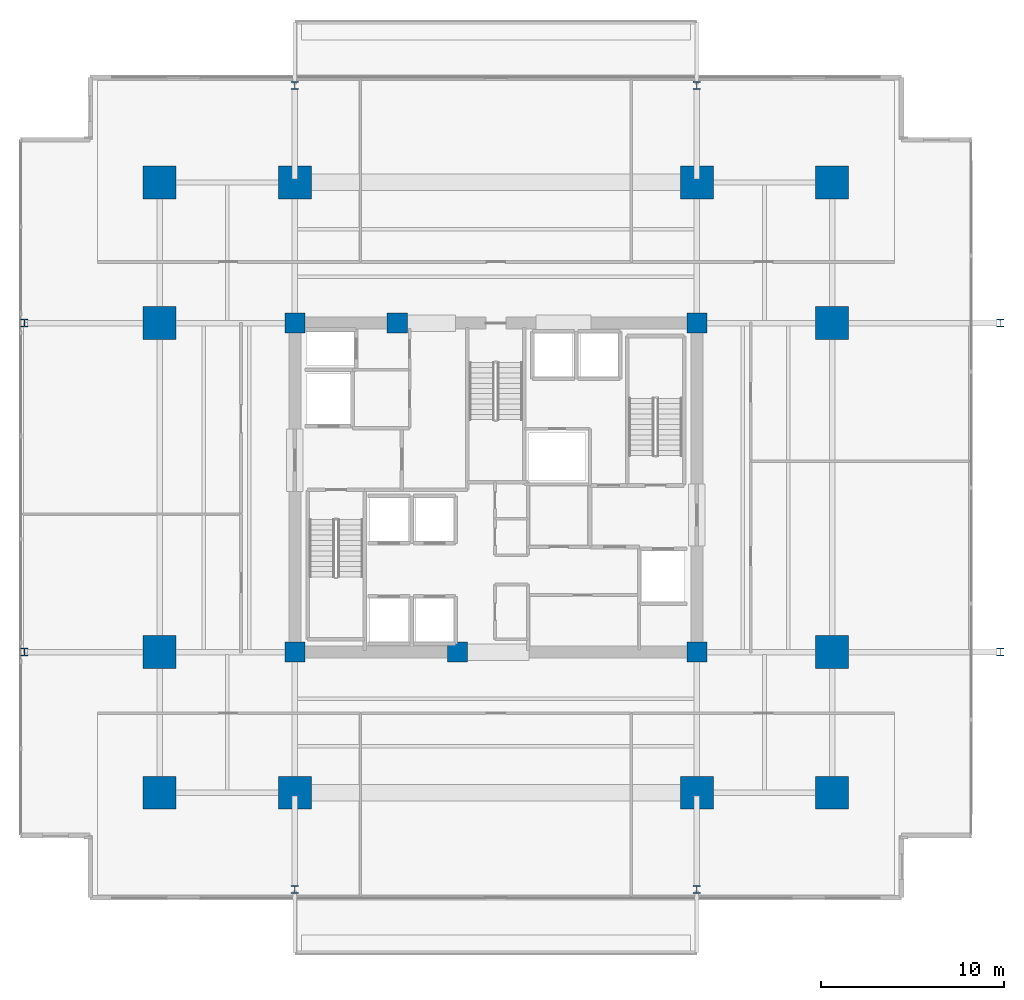
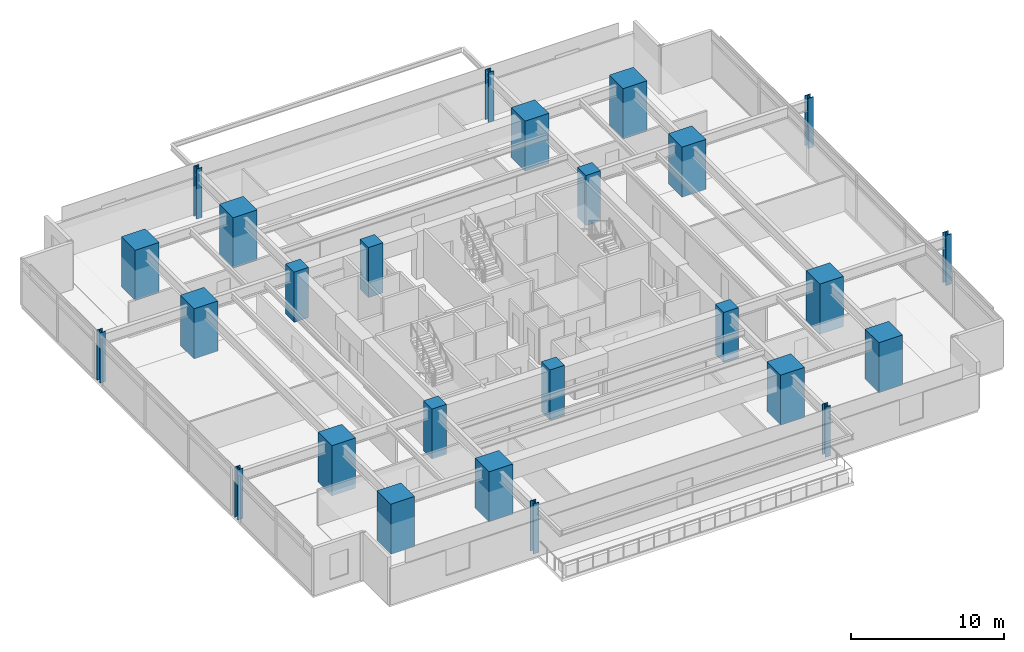
# One storey, part 1 of 25: 26 columns.
"""IFC4 building model written with IfcOpenShell, lengths in metres."""

from ifc_helpers import new_model, si_unit, direction, frame, origin, origin_2d, place, context, subcontext, project, spatial, rectangle, i_section, extrude, material, material_profile, profile_set, type_object, element, save


model = new_model("IFC4")

# Units and contexts
model_context = context("Model", 3, precision=1e-05, world=origin(), true_north=direction((0.0, 1.0)))
body_context = subcontext(model_context, "Body", "Model", "MODEL_VIEW")
ifc_project = project(units=[si_unit("LENGTHUNIT", "METRE"), si_unit("AREAUNIT", "SQUARE_METRE"), si_unit("VOLUMEUNIT", "CUBIC_METRE"), si_unit("PLANEANGLEUNIT", "RADIAN"), si_unit("MASSUNIT", "GRAM", prefix="KILO")], contexts=[model_context])

# Site, building, storey
site_placement = place(None, origin())
site = spatial("IfcSite", under=ifc_project, at=site_placement, CompositionType="ELEMENT")
building_placement = place(site_placement, origin())
building = spatial("IfcBuilding", under=site, at=building_placement, Name="Kovane Verandah Tower", CompositionType="ELEMENT")
storey_placement = place(building_placement, frame((0.0, 0.0, 67.60009765625)))
storey = spatial("IfcBuildingStorey", under=building, at=storey_placement, Name="L15", CompositionType="ELEMENT", Elevation=67.60009765625)

# Columns
ifc_material_1 = material(Name="Concrete C80/95", Category="concrete")
ifc_material_profile_1 = material_profile(ifc_material_1, rectangle(XDim=1.800048828125, YDim=1.800048828125, at=origin_2d()), Name="RC1800x1800")
ifc_profile_set_1 = profile_set([ifc_material_profile_1], Name="Concrete C80/95")
column_type_1 = type_object("IfcColumnType", Name="COL-RC1800", PredefinedType="COLUMN", material=ifc_profile_set_1)
for number, where, z_axis, x_axis, name in (
    (1, (29.0, 10.800048828125, 0.0), (0.0, 0.0, 1.0), (1.0, 0.0, 0.0), "L15 Tower Mega-Column MC-S1"),
    (2, (51.0, 10.800048828125, 0.0), (0.0, 0.0, 1.0), (1.0, 0.0, 0.0), "L15 Tower Mega-Column MC-S2"),
    (3, (29.0, 44.199951171875, 0.0), (0.0, 0.0, 1.0), (1.0, 0.0, 0.0), "L15 Tower Mega-Column MC-N1"),
    (4, (51.0, 44.199951171875, 0.0), (0.0, 0.0, 1.0), (1.0, 0.0, 0.0), "L15 Tower Mega-Column MC-N2"),
    (5, (21.60009765625, 18.5, 0.0), (0.0, 0.0, 1.0), (1.0, 0.0, 0.0), "L15 Tower Mega-Column MC-W1"),
    (6, (21.60009765625, 36.5, 0.0), (0.0, 0.0, 1.0), (1.0, 0.0, 0.0), "L15 Tower Mega-Column MC-W2"),
    (7, (58.39990234375, 18.5, 0.0), (0.0, 0.0, 1.0), (1.0, 0.0, 0.0), "L15 Tower Mega-Column MC-E1"),
    (8, (58.39990234375, 36.5, 0.0), (0.0, 0.0, 1.0), (1.0, 0.0, 0.0), "L15 Tower Mega-Column MC-E2"),
    (9, (21.60009765625, 10.800048828125, 0.0), (0.0, 0.0, 1.0), (1.0, 0.0, 0.0), "L15 Tower Mega-Column MC-SW"),
    (10, (58.39990234375, 10.800048828125, 0.0), (0.0, 0.0, 1.0), (1.0, 0.0, 0.0), "L15 Tower Mega-Column MC-SE"),
    (11, (21.60009765625, 44.199951171875, 0.0), (0.0, 0.0, 1.0), (1.0, 0.0, 0.0), "L15 Tower Mega-Column MC-NW"),
    (12, (58.39990234375, 44.199951171875, 0.0), (0.0, 0.0, 1.0), (1.0, 0.0, 0.0), "L15 Tower Mega-Column MC-NE"),
):
    element("IfcColumn", number, at=place(storey_placement, frame(where, z_axis=z_axis, x_axis=x_axis)), inside=storey, type_object=column_type_1, Name=name, PredefinedType="COLUMN", context=body_context, shape_type="SweptSolid", body=[
        extrude(rectangle(XDim=1.800048828125, YDim=1.800048828125, at=origin_2d()), origin(), (0.0, 0.0, 1.0), 4.0),
    ])
ifc_material_2 = material(Name="Steel S460", Category="steel")
ifc_material_profile_2 = material_profile(ifc_material_2, i_section(OverallWidth=0.412109375, OverallDepth=0.4365234375, WebThickness=0.035888671875, FlangeThickness=0.05810546875, FilletRadius=0.01513671875, at=origin_2d()), Name="UC356x406x467")
ifc_profile_set_2 = profile_set([ifc_material_profile_2], Name="Steel S460")
column_type_2 = type_object("IfcColumnType", Name="COL-UC467", PredefinedType="COLUMN", material=ifc_profile_set_2)
for number, where, z_axis, x_axis, name in (
    (13, (14.199951171875, 18.5, 0.0), (0.0, 0.0, 1.0), (1.0, 0.0, 0.0), "L15 Verandah Perimeter Column VC-W1"),
    (14, (14.199951171875, 36.5, 0.0), (0.0, 0.0, 1.0), (1.0, 0.0, 0.0), "L15 Verandah Perimeter Column VC-W2"),
    (15, (67.60009765625, 18.5, 0.0), (0.0, 0.0, 1.0), (1.0, 0.0, 0.0), "L15 Verandah Perimeter Column VC-E1"),
    (16, (67.60009765625, 36.5, 0.0), (0.0, 0.0, 1.0), (1.0, 0.0, 0.0), "L15 Verandah Perimeter Column VC-E2"),
    (17, (29.0, 5.5, 0.0), (0.0, 0.0, 1.0), (1.0, 0.0, 0.0), "L15 Verandah Perimeter Column VC-S1"),
    (18, (51.0, 5.5, 0.0), (0.0, 0.0, 1.0), (1.0, 0.0, 0.0), "L15 Verandah Perimeter Column VC-S2"),
    (19, (29.0, 49.5, 0.0), (0.0, 0.0, 1.0), (1.0, 0.0, 0.0), "L15 Verandah Perimeter Column VC-N1"),
    (20, (51.0, 49.5, 0.0), (0.0, 0.0, 1.0), (1.0, 0.0, 0.0), "L15 Verandah Perimeter Column VC-N2"),
):
    element("IfcColumn", number, at=place(storey_placement, frame(where, z_axis=z_axis, x_axis=x_axis)), inside=storey, type_object=column_type_2, Name=name, PredefinedType="COLUMN", context=body_context, shape_type="SweptSolid", body=[
        extrude(i_section(OverallWidth=0.412109375, OverallDepth=0.4365234375, WebThickness=0.035888671875, FlangeThickness=0.05810546875, FilletRadius=0.01513671875, at=origin_2d()), origin(), (0.0, 0.0, 1.0), 4.0),
    ])
ifc_material_profile_3 = material_profile(ifc_material_1, rectangle(XDim=1.10009765625, YDim=1.10009765625, at=origin_2d()), Name="RC1100x1100")
ifc_profile_set_3 = profile_set([ifc_material_profile_3], Name="Concrete C80/95")
column_type_3 = type_object("IfcColumnType", Name="PIL-RC1100", PredefinedType="PILASTER", material=ifc_profile_set_3)
for number, where, z_axis, x_axis, name in (
    (21, (29.0, 18.5, 0.0), (0.0, 0.0, 1.0), (1.0, 0.0, 0.0), "L15 Core Pilaster CP-SW"),
    (22, (51.0, 18.5, 0.0), (0.0, 0.0, 1.0), (1.0, 0.0, 0.0), "L15 Core Pilaster CP-SE"),
    (23, (29.0, 36.5, 0.0), (0.0, 0.0, 1.0), (1.0, 0.0, 0.0), "L15 Core Pilaster CP-NW"),
    (24, (51.0, 36.5, 0.0), (0.0, 0.0, 1.0), (1.0, 0.0, 0.0), "L15 Core Pilaster CP-NE"),
    (25, (37.89990234375, 18.5, 0.0), (0.0, 0.0, 1.0), (1.0, 0.0, 0.0), "L15 Core Pilaster CP-S"),
    (26, (34.60009765625, 36.5, 0.0), (0.0, 0.0, 1.0), (1.0, 0.0, 0.0), "L15 Core Pilaster CP-N"),
):
    element("IfcColumn", number, at=place(storey_placement, frame(where, z_axis=z_axis, x_axis=x_axis)), inside=storey, type_object=column_type_3, Name=name, PredefinedType="PILASTER", context=body_context, shape_type="SweptSolid", body=[
        extrude(rectangle(XDim=1.10009765625, YDim=1.10009765625, at=origin_2d()), origin(), (0.0, 0.0, 1.0), 4.0),
    ])

save(model, "model.ifc")
